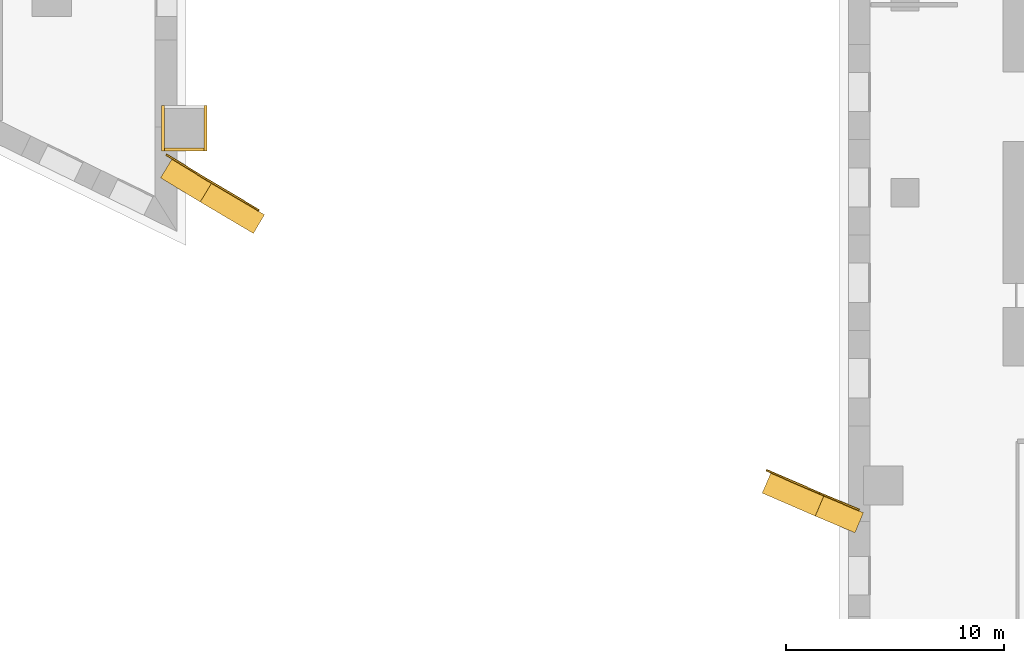
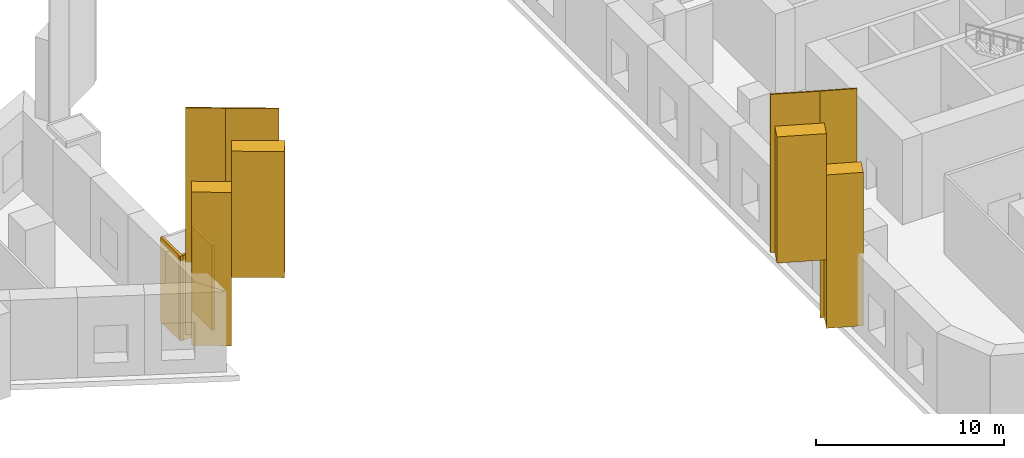
# One storey, part 7 of 13: 11 coverings.
"""IFC4 building model written with IfcOpenShell, lengths in metres."""

from ifc_helpers import new_model, si_unit, direction, frame, frame_2d, origin, place, context, subcontext, project, spatial, rectangle, extrude, material, layer, layer_set, type_object, element, save


model = new_model("IFC4")

# Units and contexts
model_context = context("Model", 3, precision=1e-05, world=origin(), true_north=direction((0.0, 1.0)))
body_context = subcontext(model_context, "Body", "Model", "MODEL_VIEW")
ifc_project = project(units=[si_unit("LENGTHUNIT", "METRE"), si_unit("AREAUNIT", "SQUARE_METRE"), si_unit("VOLUMEUNIT", "CUBIC_METRE"), si_unit("PLANEANGLEUNIT", "RADIAN"), si_unit("MASSUNIT", "GRAM", prefix="KILO")], contexts=[model_context])

# Site, building, storey
site_placement = place(None, origin())
site = spatial("IfcSite", under=ifc_project, at=site_placement, CompositionType="ELEMENT")
building_placement = place(site_placement, origin())
building = spatial("IfcBuilding", under=site, at=building_placement, Name="Ostrand Prow Hotel Tower", CompositionType="ELEMENT")
storey_placement = place(building_placement, frame((0.0, 0.0, 13.5)))
storey = spatial("IfcBuildingStorey", under=building, at=storey_placement, Name="L02", CompositionType="ELEMENT", Elevation=13.5)

# Coverings
ifc_material_1 = material(Name="Dark bronze anodised aluminium lining", Category="aluminium")
ifc_layer_1 = layer(ifc_material_1, 0.080078125)
ifc_layer_set_1 = layer_set([ifc_layer_1], Name="Dark bronze anodised aluminium lining")
covering_type_1 = type_object("IfcCoveringType", Name="Arch spandrel limestone cladding 80 mm", PredefinedType="CLADDING", material=ifc_layer_set_1)
covering_1_placement = place(storey_placement, frame((11.104248046875, -7.25048828125, 0.4853515625), z_axis=(0.0, 0.0, 1.0), x_axis=(0.853780023849, -0.52063391253, 0.0)))
element("IfcCovering", 1, at=covering_1_placement, inside=storey, type_object=covering_type_1, Name="Arch spandrel cladding S 3", PredefinedType="CLADDING", context=body_context, shape_type="SweptSolid", body=[
    extrude(rectangle(XDim=2.13037109375, YDim=0.080078125, at=frame_2d((1.065185546875, 0.0))), origin(), (0.0, 0.0, 1.0), 14.714599609375),
])
covering_2_placement = place(storey_placement, frame((12.923095703125, -8.359619140625, 4.93017578125), z_axis=(0.0, 0.0, 1.0), x_axis=(0.85938848397, -0.511323218346, 0.0)))
element("IfcCovering", 2, at=covering_2_placement, inside=storey, type_object=covering_type_1, Name="Arch spandrel cladding S 4", PredefinedType="CLADDING", context=body_context, shape_type="SweptSolid", body=[
    extrude(rectangle(XDim=2.832275390625, YDim=0.080078125, at=frame_2d((1.416015625, 0.0))), origin(), (0.0, 0.0, 1.0), 10.269775390625),
])
covering_3_placement = place(storey_placement, frame((38.642822265625, -21.725830078125, 4.93017578125), z_axis=(0.0, 0.0, 1.0), x_axis=(0.917230870296, -0.398356034943, 0.0)))
element("IfcCovering", 3, at=covering_3_placement, inside=storey, type_object=covering_type_1, Name="Arch spandrel cladding S 12", PredefinedType="CLADDING", context=body_context, shape_type="SweptSolid", body=[
    extrude(rectangle(XDim=2.65380859375, YDim=0.080078125, at=frame_2d((1.326904296875, 0.0))), origin(), (0.0, 0.0, 1.0), 10.269775390625),
])
covering_4_placement = place(storey_placement, frame((41.076904296875, -22.782958984375, 0.4853515625), z_axis=(0.0, 0.0, 1.0), x_axis=(0.921229866641, -0.389018679255, 0.0)))
element("IfcCovering", 4, at=covering_4_placement, inside=storey, type_object=covering_type_1, Name="Arch spandrel cladding S 13", PredefinedType="CLADDING", context=body_context, shape_type="SweptSolid", body=[
    extrude(rectangle(XDim=1.974365234375, YDim=0.080078125, at=frame_2d((0.9873046875, 0.0))), origin(), (0.0, 0.0, 1.0), 14.714599609375),
])
ifc_material_2 = material(Name="Limestone cladding", Category="masonry")
ifc_layer_2 = layer(ifc_material_2, 0.14990234375)
ifc_layer_set_2 = layer_set([ifc_layer_2], Name="Limestone cladding")
covering_type_2 = type_object("IfcCoveringType", Name="Column stone sleeve 150 mm", PredefinedType="CLADDING", material=ifc_layer_set_2)
covering_5_placement = place(storey_placement, frame((10.87646484375, -7.01708984375, 0.0), z_axis=(0.0, 0.0, 1.0), x_axis=(1.0, 0.0, 0.0)))
element("IfcCovering", 5, at=covering_5_placement, inside=storey, type_object=covering_type_2, Name="Column stone sleeve MC-S1 1", PredefinedType="CLADDING", context=body_context, shape_type="SweptSolid", body=[
    extrude(rectangle(XDim=2.099853515625, YDim=0.14990234375, at=frame_2d((1.0498046875, 0.0))), origin(), (0.0, 0.0, 1.0), 5.5),
])
for number, where, z_axis, x_axis, name in (
    (6, (12.9013671875, -7.092041015625, 0.0), (0.0, 0.0, 1.0), (0.0, 1.0, 0.0), "Column stone sleeve MC-S1 2"),
    (7, (10.951416015625, -4.991943359375, 0.0), (0.0, 0.0, 1.0), (0.0, -1.0, 0.0), "Column stone sleeve MC-S1 4"),
):
    element("IfcCovering", number, at=place(storey_placement, frame(where, z_axis=z_axis, x_axis=x_axis)), inside=storey, type_object=covering_type_2, Name=name, PredefinedType="CLADDING", context=body_context, shape_type="SweptSolid", body=[
        extrude(rectangle(XDim=2.10009765625, YDim=0.14990234375, at=frame_2d((1.050048828125, 0.0))), origin(), (0.0, 0.0, 1.0), 5.5),
    ])
ifc_material_3 = material(Name="Limestone cladding", Category="masonry")
ifc_layer_3 = layer(ifc_material_3, 1.0)
ifc_layer_set_3 = layer_set([ifc_layer_3], Name="Limestone cladding")
covering_type_3 = type_object("IfcCoveringType", Name="Portal frame limestone 1000 mm", PredefinedType="CLADDING", material=ifc_layer_set_3)
covering_6_placement = place(storey_placement, frame((11.104248046875, -7.884521484375, 0.4853515625), z_axis=(0.0, 0.0, 1.0), x_axis=(0.85454390254, -0.519379166537, 0.0)))
element("IfcCovering", 8, at=covering_6_placement, inside=storey, type_object=covering_type_3, Name="Portal frame S 3", PredefinedType="CLADDING", context=body_context, shape_type="SweptSolid", body=[
    extrude(rectangle(XDim=2.12841796875, YDim=1.0, at=frame_2d((1.064208984375, 0.0))), origin(), (0.0, 0.0, 1.0), 9.954345703125),
])
covering_7_placement = place(storey_placement, frame((12.923095703125, -8.989990234375, 4.93017578125), z_axis=(0.0, 0.0, 1.0), x_axis=(0.860107903159, -0.510112139557, 0.0)))
element("IfcCovering", 9, at=covering_7_placement, inside=storey, type_object=covering_type_3, Name="Portal frame S 4", PredefinedType="CLADDING", context=body_context, shape_type="SweptSolid", body=[
    extrude(rectangle(XDim=2.830078125, YDim=1.0, at=frame_2d((1.4150390625, 0.0))), origin(), (0.0, 0.0, 1.0), 8.192138671875),
])
covering_8_placement = place(storey_placement, frame((38.642822265625, -22.31591796875, 4.93017578125), z_axis=(0.0, 0.0, 1.0), x_axis=(0.917633957316, -0.397426622637, 0.0)))
element("IfcCovering", 10, at=covering_8_placement, inside=storey, type_object=covering_type_3, Name="Portal frame S 12", PredefinedType="CLADDING", context=body_context, shape_type="SweptSolid", body=[
    extrude(rectangle(XDim=2.652587890625, YDim=1.0, at=frame_2d((1.326171875, 0.0))), origin(), (0.0, 0.0, 1.0), 8.192138671875),
])
covering_9_placement = place(storey_placement, frame((41.076904296875, -23.3701171875, 0.4853515625), z_axis=(0.0, 0.0, 1.0), x_axis=(0.921628389096, -0.388073591489, 0.0)))
element("IfcCovering", 11, at=covering_9_placement, inside=storey, type_object=covering_type_3, Name="Portal frame S 13", PredefinedType="CLADDING", context=body_context, shape_type="SweptSolid", body=[
    extrude(rectangle(XDim=1.9736328125, YDim=1.0, at=frame_2d((0.98681640625, 0.0))), origin(), (0.0, 0.0, 1.0), 9.954345703125),
])

save(model, "model.ifc")
